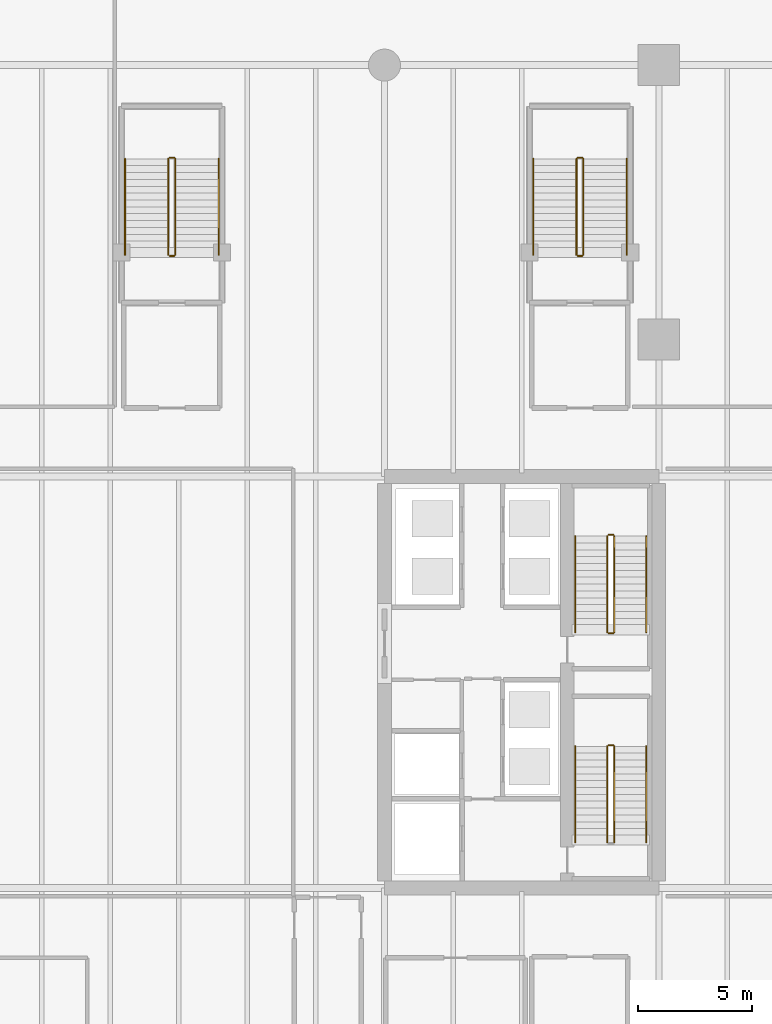
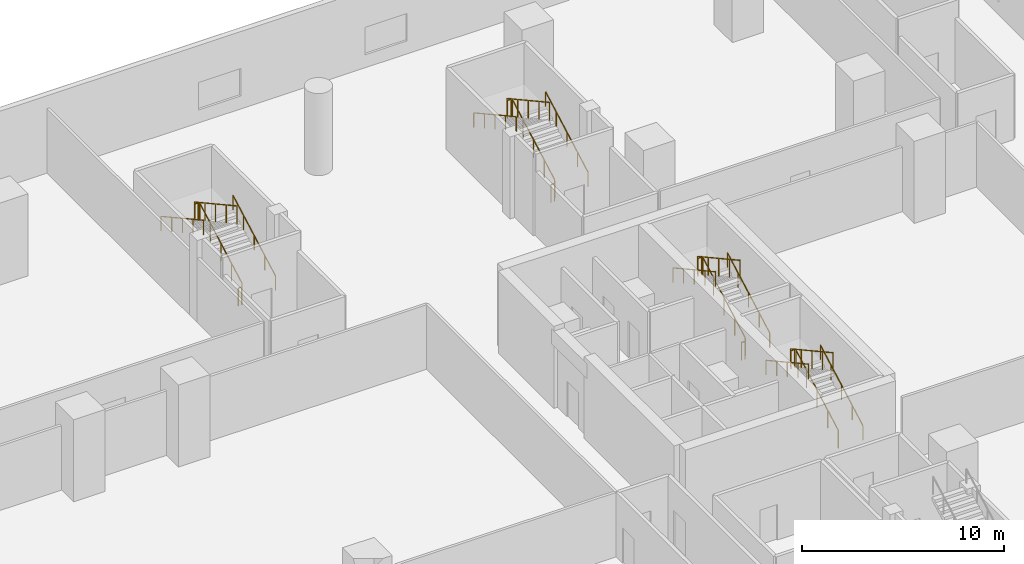
# One storey, part 23 of 25: 23 railings.
"""IFC4 building model written with IfcOpenShell, lengths in metres."""

from ifc_helpers import new_model, si_unit, direction, frame, origin, place, context, subcontext, project, spatial, rectangle, extrude, material, type_object, element, save


model = new_model("IFC4")

# Units and contexts
model_context = context("Model", 3, precision=1e-05, world=origin(), true_north=direction((0.0, 1.0)))
body_context = subcontext(model_context, "Body", "Model", "MODEL_VIEW")
ifc_project = project(units=[si_unit("LENGTHUNIT", "METRE"), si_unit("AREAUNIT", "SQUARE_METRE"), si_unit("VOLUMEUNIT", "CUBIC_METRE"), si_unit("PLANEANGLEUNIT", "RADIAN"), si_unit("MASSUNIT", "GRAM", prefix="KILO")], contexts=[model_context])

# Site, building, storey
site_placement = place(None, origin())
site = spatial("IfcSite", under=ifc_project, at=site_placement, CompositionType="ELEMENT")
building_placement = place(site_placement, origin())
building = spatial("IfcBuilding", under=site, at=building_placement, Name="Tanjung Sevakor Pilgrim Tower", CompositionType="ELEMENT")
storey_placement = place(building_placement, origin())
storey = spatial("IfcBuildingStorey", under=building, at=storey_placement, Name="L01", CompositionType="ELEMENT", Elevation=0.0)

# Railings
ifc_material_1 = material(Name="Steel S355J2", Category="steel")
railing_type_1 = type_object("IfcRailingType", Name="RL-STAIR-GUARD", PredefinedType="GUARDRAIL", material=ifc_material_1)
railing_1_placement = place(storey_placement, frame((88.050048828125, 26.60009765625, 0.1650390625)))
element("IfcRailing", 1, at=railing_1_placement, inside=storey, type_object=railing_type_1, Name="L01 TS-E1 stair guard 1", PredefinedType="GUARDRAIL", context=body_context, shape_type="SweptSolid", body=[
    extrude(rectangle(XDim=0.0479, YDim=0.0479), frame((0.0, 0.0, 1.076171875), z_axis=(0.0, 0.876208380975, 0.481932436249), x_axis=(-1.0, 0.0, 0.0)), (0.0, 0.0, 1.0), 4.793212890625),
    extrude(rectangle(XDim=0.042, YDim=0.042), origin(), (0.0, 0.0, 1.0), 1.052001953125),
    extrude(rectangle(XDim=0.042, YDim=0.042), frame((0.0, 1.050048828125, 0.57763671875)), (0.0, 0.0, 1.0), 1.052001953125),
    extrude(rectangle(XDim=0.042, YDim=0.042), frame((0.0, 2.10009765625, 1.155029296875)), (0.0, 0.0, 1.0), 1.052001953125),
    extrude(rectangle(XDim=0.042, YDim=0.042), frame((0.0, 3.14990234375, 1.732421875)), (0.0, 0.0, 1.0), 1.052001953125),
    extrude(rectangle(XDim=0.042, YDim=0.042), frame((0.0, 4.199951171875, 2.31005859375)), (0.0, 0.0, 1.0), 1.052001953125),
])
railing_2_placement = place(storey_placement, frame((88.0, 30.85009765625, 2.47509765625)))
element("IfcRailing", 2, at=railing_2_placement, inside=storey, type_object=railing_type_1, Name="L01 TS-E1 stair guard 2", PredefinedType="GUARDRAIL", context=body_context, shape_type="SweptSolid", body=[
    extrude(rectangle(XDim=0.0479, YDim=0.0479), frame((0.0, 0.0, 1.076171875), z_axis=(-1.0, 0.0, 0.0), x_axis=(0.0, -1.0, 0.0)), (0.0, 0.0, 1.0), 0.199951171875),
    extrude(rectangle(XDim=0.042, YDim=0.042), origin(), (0.0, 0.0, 1.0), 1.052001953125),
    extrude(rectangle(XDim=0.042, YDim=0.042), frame((-0.199951171875, 0.0, 0.0)), (0.0, 0.0, 1.0), 1.052001953125),
])
railing_3_placement = place(storey_placement, frame((87.75, 30.800048828125, 2.639892578125)))
element("IfcRailing", 3, at=railing_3_placement, inside=storey, type_object=railing_type_1, Name="L01 TS-E1 stair guard 3", PredefinedType="GUARDRAIL", context=body_context, shape_type="SweptSolid", body=[
    extrude(rectangle(XDim=0.0479, YDim=0.0479), frame((0.0, 0.0, 1.076171875), z_axis=(0.0, -0.876208380975, 0.481932436249), x_axis=(1.0, 0.0, 0.0)), (0.0, 0.0, 1.0), 4.793212890625),
    extrude(rectangle(XDim=0.042, YDim=0.042), origin(), (0.0, 0.0, 1.0), 1.052001953125),
    extrude(rectangle(XDim=0.042, YDim=0.042), frame((0.0, -1.050048828125, 0.57763671875)), (0.0, 0.0, 1.0), 1.052001953125),
    extrude(rectangle(XDim=0.042, YDim=0.042), frame((0.0, -2.10009765625, 1.155029296875)), (0.0, 0.0, 1.0), 1.052001953125),
    extrude(rectangle(XDim=0.042, YDim=0.042), frame((0.0, -3.14990234375, 1.732421875)), (0.0, 0.0, 1.0), 1.052001953125),
    extrude(rectangle(XDim=0.042, YDim=0.042), frame((0.0, -4.199951171875, 2.31005859375)), (0.0, 0.0, 1.0), 1.052001953125),
])
railing_4_placement = place(storey_placement, frame((88.050048828125, 35.800048828125, 0.1650390625)))
element("IfcRailing", 4, at=railing_4_placement, inside=storey, type_object=railing_type_1, Name="L01 TS-E2 stair guard 1", PredefinedType="GUARDRAIL", context=body_context, shape_type="SweptSolid", body=[
    extrude(rectangle(XDim=0.0479, YDim=0.0479), frame((0.0, 0.0, 1.076171875), z_axis=(0.0, 0.876208380975, 0.481932436249), x_axis=(-1.0, 0.0, 0.0)), (0.0, 0.0, 1.0), 4.793212890625),
    extrude(rectangle(XDim=0.042, YDim=0.042), origin(), (0.0, 0.0, 1.0), 1.052001953125),
    extrude(rectangle(XDim=0.042, YDim=0.042), frame((0.0, 1.050048828125, 0.57763671875)), (0.0, 0.0, 1.0), 1.052001953125),
    extrude(rectangle(XDim=0.042, YDim=0.042), frame((0.0, 2.10009765625, 1.155029296875)), (0.0, 0.0, 1.0), 1.052001953125),
    extrude(rectangle(XDim=0.042, YDim=0.042), frame((0.0, 3.14990234375, 1.732421875)), (0.0, 0.0, 1.0), 1.052001953125),
    extrude(rectangle(XDim=0.042, YDim=0.042), frame((0.0, 4.199951171875, 2.31005859375)), (0.0, 0.0, 1.0), 1.052001953125),
])
railing_5_placement = place(storey_placement, frame((88.0, 40.050048828125, 2.47509765625)))
element("IfcRailing", 5, at=railing_5_placement, inside=storey, type_object=railing_type_1, Name="L01 TS-E2 stair guard 2", PredefinedType="GUARDRAIL", context=body_context, shape_type="SweptSolid", body=[
    extrude(rectangle(XDim=0.0479, YDim=0.0479), frame((0.0, 0.0, 1.076171875), z_axis=(-1.0, 0.0, 0.0), x_axis=(0.0, -1.0, 0.0)), (0.0, 0.0, 1.0), 0.199951171875),
    extrude(rectangle(XDim=0.042, YDim=0.042), origin(), (0.0, 0.0, 1.0), 1.052001953125),
    extrude(rectangle(XDim=0.042, YDim=0.042), frame((-0.199951171875, 0.0, 0.0)), (0.0, 0.0, 1.0), 1.052001953125),
])
railing_6_placement = place(storey_placement, frame((87.75, 40.0, 2.639892578125)))
element("IfcRailing", 6, at=railing_6_placement, inside=storey, type_object=railing_type_1, Name="L01 TS-E2 stair guard 3", PredefinedType="GUARDRAIL", context=body_context, shape_type="SweptSolid", body=[
    extrude(rectangle(XDim=0.0479, YDim=0.0479), frame((0.0, 0.0, 1.076171875), z_axis=(0.0, -0.876208380975, 0.481932436249), x_axis=(1.0, 0.0, 0.0)), (0.0, 0.0, 1.0), 4.793212890625),
    extrude(rectangle(XDim=0.042, YDim=0.042), origin(), (0.0, 0.0, 1.0), 1.052001953125),
    extrude(rectangle(XDim=0.042, YDim=0.042), frame((0.0, -1.050048828125, 0.57763671875)), (0.0, 0.0, 1.0), 1.052001953125),
    extrude(rectangle(XDim=0.042, YDim=0.042), frame((0.0, -2.10009765625, 1.155029296875)), (0.0, 0.0, 1.0), 1.052001953125),
    extrude(rectangle(XDim=0.042, YDim=0.042), frame((0.0, -3.14990234375, 1.732421875)), (0.0, 0.0, 1.0), 1.052001953125),
    extrude(rectangle(XDim=0.042, YDim=0.042), frame((0.0, -4.199951171875, 2.31005859375)), (0.0, 0.0, 1.0), 1.052001953125),
])
railing_7_placement = place(storey_placement, frame((88.0, 35.75, 0.0)))
element("IfcRailing", 7, at=railing_7_placement, inside=storey, type_object=railing_type_1, Name="L01 TS-E2 stair guard 4", PredefinedType="GUARDRAIL", context=body_context, shape_type="SweptSolid", body=[
    extrude(rectangle(XDim=0.0479, YDim=0.0479), frame((0.0, 0.0, 1.076171875), z_axis=(-1.0, 0.0, 0.0), x_axis=(0.0, -1.0, 0.0)), (0.0, 0.0, 1.0), 0.199951171875),
    extrude(rectangle(XDim=0.042, YDim=0.042), origin(), (0.0, 0.0, 1.0), 1.052001953125),
    extrude(rectangle(XDim=0.042, YDim=0.042), frame((-0.199951171875, 0.0, 0.0)), (0.0, 0.0, 1.0), 1.052001953125),
])
railing_8_placement = place(storey_placement, frame((68.85009765625, 52.300048828125, 0.1650390625)))
element("IfcRailing", 8, at=railing_8_placement, inside=storey, type_object=railing_type_1, Name="L01 PS-4 stair guard 1", PredefinedType="GUARDRAIL", context=body_context, shape_type="SweptSolid", body=[
    extrude(rectangle(XDim=0.0479, YDim=0.0479), frame((0.0, 0.0, 1.076171875), z_axis=(0.0, 0.876208380975, 0.481932436249), x_axis=(-1.0, 0.0, 0.0)), (0.0, 0.0, 1.0), 4.793212890625),
    extrude(rectangle(XDim=0.042, YDim=0.042), origin(), (0.0, 0.0, 1.0), 1.052001953125),
    extrude(rectangle(XDim=0.042, YDim=0.042), frame((0.0, 1.050048828125, 0.57763671875)), (0.0, 0.0, 1.0), 1.052001953125),
    extrude(rectangle(XDim=0.042, YDim=0.042), frame((0.0, 2.10009765625, 1.155029296875)), (0.0, 0.0, 1.0), 1.052001953125),
    extrude(rectangle(XDim=0.042, YDim=0.042), frame((0.0, 3.14990234375, 1.732421875)), (0.0, 0.0, 1.0), 1.052001953125),
    extrude(rectangle(XDim=0.042, YDim=0.042), frame((0.0, 4.199951171875, 2.31005859375)), (0.0, 0.0, 1.0), 1.052001953125),
])
railing_9_placement = place(storey_placement, frame((68.800048828125, 56.550048828125, 2.47509765625)))
element("IfcRailing", 9, at=railing_9_placement, inside=storey, type_object=railing_type_1, Name="L01 PS-4 stair guard 2", PredefinedType="GUARDRAIL", context=body_context, shape_type="SweptSolid", body=[
    extrude(rectangle(XDim=0.0479, YDim=0.0479), frame((0.0, 0.0, 1.076171875), z_axis=(-1.0, 0.0, 0.0), x_axis=(0.0, -1.0, 0.0)), (0.0, 0.0, 1.0), 0.199951171875),
    extrude(rectangle(XDim=0.042, YDim=0.042), origin(), (0.0, 0.0, 1.0), 1.052001953125),
    extrude(rectangle(XDim=0.042, YDim=0.042), frame((-0.199951171875, 0.0, 0.0)), (0.0, 0.0, 1.0), 1.052001953125),
])
railing_10_placement = place(storey_placement, frame((68.550048828125, 56.5, 2.639892578125)))
element("IfcRailing", 10, at=railing_10_placement, inside=storey, type_object=railing_type_1, Name="L01 PS-4 stair guard 3", PredefinedType="GUARDRAIL", context=body_context, shape_type="SweptSolid", body=[
    extrude(rectangle(XDim=0.0479, YDim=0.0479), frame((0.0, 0.0, 1.076171875), z_axis=(0.0, -0.876208380975, 0.481932436249), x_axis=(1.0, 0.0, 0.0)), (0.0, 0.0, 1.0), 4.793212890625),
    extrude(rectangle(XDim=0.042, YDim=0.042), origin(), (0.0, 0.0, 1.0), 1.052001953125),
    extrude(rectangle(XDim=0.042, YDim=0.042), frame((0.0, -1.050048828125, 0.57763671875)), (0.0, 0.0, 1.0), 1.052001953125),
    extrude(rectangle(XDim=0.042, YDim=0.042), frame((0.0, -2.10009765625, 1.155029296875)), (0.0, 0.0, 1.0), 1.052001953125),
    extrude(rectangle(XDim=0.042, YDim=0.042), frame((0.0, -3.14990234375, 1.732421875)), (0.0, 0.0, 1.0), 1.052001953125),
    extrude(rectangle(XDim=0.042, YDim=0.042), frame((0.0, -4.199951171875, 2.31005859375)), (0.0, 0.0, 1.0), 1.052001953125),
])
railing_11_placement = place(storey_placement, frame((68.800048828125, 52.25, 0.0)))
element("IfcRailing", 11, at=railing_11_placement, inside=storey, type_object=railing_type_1, Name="L01 PS-4 stair guard 4", PredefinedType="GUARDRAIL", context=body_context, shape_type="SweptSolid", body=[
    extrude(rectangle(XDim=0.0479, YDim=0.0479), frame((0.0, 0.0, 1.076171875), z_axis=(-1.0, 0.0, 0.0), x_axis=(0.0, -1.0, 0.0)), (0.0, 0.0, 1.0), 0.199951171875),
    extrude(rectangle(XDim=0.042, YDim=0.042), origin(), (0.0, 0.0, 1.0), 1.052001953125),
    extrude(rectangle(XDim=0.042, YDim=0.042), frame((-0.199951171875, 0.0, 0.0)), (0.0, 0.0, 1.0), 1.052001953125),
])
railing_12_placement = place(storey_placement, frame((86.699951171875, 52.300048828125, 0.1650390625)))
element("IfcRailing", 12, at=railing_12_placement, inside=storey, type_object=railing_type_1, Name="L01 PS-6 stair guard 1", PredefinedType="GUARDRAIL", context=body_context, shape_type="SweptSolid", body=[
    extrude(rectangle(XDim=0.0479, YDim=0.0479), frame((0.0, 0.0, 1.076171875), z_axis=(0.0, 0.876208380975, 0.481932436249), x_axis=(-1.0, 0.0, 0.0)), (0.0, 0.0, 1.0), 4.793212890625),
    extrude(rectangle(XDim=0.042, YDim=0.042), origin(), (0.0, 0.0, 1.0), 1.052001953125),
    extrude(rectangle(XDim=0.042, YDim=0.042), frame((0.0, 1.050048828125, 0.57763671875)), (0.0, 0.0, 1.0), 1.052001953125),
    extrude(rectangle(XDim=0.042, YDim=0.042), frame((0.0, 2.10009765625, 1.155029296875)), (0.0, 0.0, 1.0), 1.052001953125),
    extrude(rectangle(XDim=0.042, YDim=0.042), frame((0.0, 3.14990234375, 1.732421875)), (0.0, 0.0, 1.0), 1.052001953125),
    extrude(rectangle(XDim=0.042, YDim=0.042), frame((0.0, 4.199951171875, 2.31005859375)), (0.0, 0.0, 1.0), 1.052001953125),
])
railing_13_placement = place(storey_placement, frame((86.64990234375, 56.550048828125, 2.47509765625)))
element("IfcRailing", 13, at=railing_13_placement, inside=storey, type_object=railing_type_1, Name="L01 PS-6 stair guard 2", PredefinedType="GUARDRAIL", context=body_context, shape_type="SweptSolid", body=[
    extrude(rectangle(XDim=0.0479, YDim=0.0479), frame((0.0, 0.0, 1.076171875), z_axis=(-1.0, 0.0, 0.0), x_axis=(0.0, -1.0, 0.0)), (0.0, 0.0, 1.0), 0.199951171875),
    extrude(rectangle(XDim=0.042, YDim=0.042), origin(), (0.0, 0.0, 1.0), 1.052001953125),
    extrude(rectangle(XDim=0.042, YDim=0.042), frame((-0.199951171875, 0.0, 0.0)), (0.0, 0.0, 1.0), 1.052001953125),
])
railing_14_placement = place(storey_placement, frame((86.39990234375, 56.5, 2.639892578125)))
element("IfcRailing", 14, at=railing_14_placement, inside=storey, type_object=railing_type_1, Name="L01 PS-6 stair guard 3", PredefinedType="GUARDRAIL", context=body_context, shape_type="SweptSolid", body=[
    extrude(rectangle(XDim=0.0479, YDim=0.0479), frame((0.0, 0.0, 1.076171875), z_axis=(0.0, -0.876208380975, 0.481932436249), x_axis=(1.0, 0.0, 0.0)), (0.0, 0.0, 1.0), 4.793212890625),
    extrude(rectangle(XDim=0.042, YDim=0.042), origin(), (0.0, 0.0, 1.0), 1.052001953125),
    extrude(rectangle(XDim=0.042, YDim=0.042), frame((0.0, -1.050048828125, 0.57763671875)), (0.0, 0.0, 1.0), 1.052001953125),
    extrude(rectangle(XDim=0.042, YDim=0.042), frame((0.0, -2.10009765625, 1.155029296875)), (0.0, 0.0, 1.0), 1.052001953125),
    extrude(rectangle(XDim=0.042, YDim=0.042), frame((0.0, -3.14990234375, 1.732421875)), (0.0, 0.0, 1.0), 1.052001953125),
    extrude(rectangle(XDim=0.042, YDim=0.042), frame((0.0, -4.199951171875, 2.31005859375)), (0.0, 0.0, 1.0), 1.052001953125),
])
railing_15_placement = place(storey_placement, frame((86.64990234375, 52.25, 0.0)))
element("IfcRailing", 15, at=railing_15_placement, inside=storey, type_object=railing_type_1, Name="L01 PS-6 stair guard 4", PredefinedType="GUARDRAIL", context=body_context, shape_type="SweptSolid", body=[
    extrude(rectangle(XDim=0.0479, YDim=0.0479), frame((0.0, 0.0, 1.076171875), z_axis=(-1.0, 0.0, 0.0), x_axis=(0.0, -1.0, 0.0)), (0.0, 0.0, 1.0), 0.199951171875),
    extrude(rectangle(XDim=0.042, YDim=0.042), origin(), (0.0, 0.0, 1.0), 1.052001953125),
    extrude(rectangle(XDim=0.042, YDim=0.042), frame((-0.199951171875, 0.0, 0.0)), (0.0, 0.0, 1.0), 1.052001953125),
])
ifc_material_2 = material(Name="Steel S355J2", Category="steel")
railing_type_2 = type_object("IfcRailingType", Name="RL-STAIR-HAND", PredefinedType="HANDRAIL", material=ifc_material_2)
railing_16_placement = place(storey_placement, frame((89.449951171875, 26.60009765625, 0.1650390625)))
element("IfcRailing", 16, at=railing_16_placement, inside=storey, type_object=railing_type_2, Name="L01 TS-E1 stair handrail 1", PredefinedType="HANDRAIL", context=body_context, shape_type="SweptSolid", body=[
    extrude(rectangle(XDim=0.0479, YDim=0.0479), frame((0.0, 0.0, 0.8759765625), z_axis=(0.0, 0.876208380975, 0.481932436249), x_axis=(-1.0, 0.0, 0.0)), (0.0, 0.0, 1.0), 4.793212890625),
    extrude(rectangle(XDim=0.042, YDim=0.042), origin(), (0.0, 0.0, 1.0), 0.851806640625),
    extrude(rectangle(XDim=0.042, YDim=0.042), frame((0.0, 1.050048828125, 0.57763671875)), (0.0, 0.0, 1.0), 0.851806640625),
    extrude(rectangle(XDim=0.042, YDim=0.042), frame((0.0, 2.10009765625, 1.155029296875)), (0.0, 0.0, 1.0), 0.851806640625),
    extrude(rectangle(XDim=0.042, YDim=0.042), frame((0.0, 3.14990234375, 1.732421875)), (0.0, 0.0, 1.0), 0.851806640625),
    extrude(rectangle(XDim=0.042, YDim=0.042), frame((0.0, 4.199951171875, 2.31005859375)), (0.0, 0.0, 1.0), 0.851806640625),
])
railing_17_placement = place(storey_placement, frame((86.35009765625, 30.800048828125, 2.639892578125)))
element("IfcRailing", 17, at=railing_17_placement, inside=storey, type_object=railing_type_2, Name="L01 TS-E1 stair handrail 2", PredefinedType="HANDRAIL", context=body_context, shape_type="SweptSolid", body=[
    extrude(rectangle(XDim=0.0479, YDim=0.0479), frame((0.0, 0.0, 0.8759765625), z_axis=(0.0, -0.876208380975, 0.481932436249), x_axis=(1.0, 0.0, 0.0)), (0.0, 0.0, 1.0), 4.793212890625),
    extrude(rectangle(XDim=0.042, YDim=0.042), origin(), (0.0, 0.0, 1.0), 0.851806640625),
    extrude(rectangle(XDim=0.042, YDim=0.042), frame((0.0, -1.050048828125, 0.57763671875)), (0.0, 0.0, 1.0), 0.851806640625),
    extrude(rectangle(XDim=0.042, YDim=0.042), frame((0.0, -2.10009765625, 1.155029296875)), (0.0, 0.0, 1.0), 0.851806640625),
    extrude(rectangle(XDim=0.042, YDim=0.042), frame((0.0, -3.14990234375, 1.732421875)), (0.0, 0.0, 1.0), 0.851806640625),
    extrude(rectangle(XDim=0.042, YDim=0.042), frame((0.0, -4.199951171875, 2.31005859375)), (0.0, 0.0, 1.0), 0.851806640625),
])
railing_18_placement = place(storey_placement, frame((89.449951171875, 35.800048828125, 0.1650390625)))
element("IfcRailing", 18, at=railing_18_placement, inside=storey, type_object=railing_type_2, Name="L01 TS-E2 stair handrail 1", PredefinedType="HANDRAIL", context=body_context, shape_type="SweptSolid", body=[
    extrude(rectangle(XDim=0.0479, YDim=0.0479), frame((0.0, 0.0, 0.8759765625), z_axis=(0.0, 0.876208380975, 0.481932436249), x_axis=(-1.0, 0.0, 0.0)), (0.0, 0.0, 1.0), 4.793212890625),
    extrude(rectangle(XDim=0.042, YDim=0.042), origin(), (0.0, 0.0, 1.0), 0.851806640625),
    extrude(rectangle(XDim=0.042, YDim=0.042), frame((0.0, 1.050048828125, 0.57763671875)), (0.0, 0.0, 1.0), 0.851806640625),
    extrude(rectangle(XDim=0.042, YDim=0.042), frame((0.0, 2.10009765625, 1.155029296875)), (0.0, 0.0, 1.0), 0.851806640625),
    extrude(rectangle(XDim=0.042, YDim=0.042), frame((0.0, 3.14990234375, 1.732421875)), (0.0, 0.0, 1.0), 0.851806640625),
    extrude(rectangle(XDim=0.042, YDim=0.042), frame((0.0, 4.199951171875, 2.31005859375)), (0.0, 0.0, 1.0), 0.851806640625),
])
railing_19_placement = place(storey_placement, frame((86.35009765625, 40.0, 2.639892578125)))
element("IfcRailing", 19, at=railing_19_placement, inside=storey, type_object=railing_type_2, Name="L01 TS-E2 stair handrail 2", PredefinedType="HANDRAIL", context=body_context, shape_type="SweptSolid", body=[
    extrude(rectangle(XDim=0.0479, YDim=0.0479), frame((0.0, 0.0, 0.8759765625), z_axis=(0.0, -0.876208380975, 0.481932436249), x_axis=(1.0, 0.0, 0.0)), (0.0, 0.0, 1.0), 4.793212890625),
    extrude(rectangle(XDim=0.042, YDim=0.042), origin(), (0.0, 0.0, 1.0), 0.851806640625),
    extrude(rectangle(XDim=0.042, YDim=0.042), frame((0.0, -1.050048828125, 0.57763671875)), (0.0, 0.0, 1.0), 0.851806640625),
    extrude(rectangle(XDim=0.042, YDim=0.042), frame((0.0, -2.10009765625, 1.155029296875)), (0.0, 0.0, 1.0), 0.851806640625),
    extrude(rectangle(XDim=0.042, YDim=0.042), frame((0.0, -3.14990234375, 1.732421875)), (0.0, 0.0, 1.0), 0.851806640625),
    extrude(rectangle(XDim=0.042, YDim=0.042), frame((0.0, -4.199951171875, 2.31005859375)), (0.0, 0.0, 1.0), 0.851806640625),
])
railing_20_placement = place(storey_placement, frame((70.75, 52.300048828125, 0.1650390625)))
element("IfcRailing", 20, at=railing_20_placement, inside=storey, type_object=railing_type_2, Name="L01 PS-4 stair handrail 1", PredefinedType="HANDRAIL", context=body_context, shape_type="SweptSolid", body=[
    extrude(rectangle(XDim=0.0479, YDim=0.0479), frame((0.0, 0.0, 0.8759765625), z_axis=(0.0, 0.876208380975, 0.481932436249), x_axis=(-1.0, 0.0, 0.0)), (0.0, 0.0, 1.0), 4.793212890625),
    extrude(rectangle(XDim=0.042, YDim=0.042), origin(), (0.0, 0.0, 1.0), 0.851806640625),
    extrude(rectangle(XDim=0.042, YDim=0.042), frame((0.0, 1.050048828125, 0.57763671875)), (0.0, 0.0, 1.0), 0.851806640625),
    extrude(rectangle(XDim=0.042, YDim=0.042), frame((0.0, 2.10009765625, 1.155029296875)), (0.0, 0.0, 1.0), 0.851806640625),
    extrude(rectangle(XDim=0.042, YDim=0.042), frame((0.0, 3.14990234375, 1.732421875)), (0.0, 0.0, 1.0), 0.851806640625),
    extrude(rectangle(XDim=0.042, YDim=0.042), frame((0.0, 4.199951171875, 2.31005859375)), (0.0, 0.0, 1.0), 0.851806640625),
])
railing_21_placement = place(storey_placement, frame((66.64990234375, 56.5, 2.639892578125)))
element("IfcRailing", 21, at=railing_21_placement, inside=storey, type_object=railing_type_2, Name="L01 PS-4 stair handrail 2", PredefinedType="HANDRAIL", context=body_context, shape_type="SweptSolid", body=[
    extrude(rectangle(XDim=0.0479, YDim=0.0479), frame((0.0, 0.0, 0.8759765625), z_axis=(0.0, -0.876208380975, 0.481932436249), x_axis=(1.0, 0.0, 0.0)), (0.0, 0.0, 1.0), 4.793212890625),
    extrude(rectangle(XDim=0.042, YDim=0.042), origin(), (0.0, 0.0, 1.0), 0.851806640625),
    extrude(rectangle(XDim=0.042, YDim=0.042), frame((0.0, -1.050048828125, 0.57763671875)), (0.0, 0.0, 1.0), 0.851806640625),
    extrude(rectangle(XDim=0.042, YDim=0.042), frame((0.0, -2.10009765625, 1.155029296875)), (0.0, 0.0, 1.0), 0.851806640625),
    extrude(rectangle(XDim=0.042, YDim=0.042), frame((0.0, -3.14990234375, 1.732421875)), (0.0, 0.0, 1.0), 0.851806640625),
    extrude(rectangle(XDim=0.042, YDim=0.042), frame((0.0, -4.199951171875, 2.31005859375)), (0.0, 0.0, 1.0), 0.851806640625),
])
railing_22_placement = place(storey_placement, frame((88.60009765625, 52.300048828125, 0.1650390625)))
element("IfcRailing", 22, at=railing_22_placement, inside=storey, type_object=railing_type_2, Name="L01 PS-6 stair handrail 1", PredefinedType="HANDRAIL", context=body_context, shape_type="SweptSolid", body=[
    extrude(rectangle(XDim=0.0479, YDim=0.0479), frame((0.0, 0.0, 0.8759765625), z_axis=(0.0, 0.876208380975, 0.481932436249), x_axis=(-1.0, 0.0, 0.0)), (0.0, 0.0, 1.0), 4.793212890625),
    extrude(rectangle(XDim=0.042, YDim=0.042), origin(), (0.0, 0.0, 1.0), 0.851806640625),
    extrude(rectangle(XDim=0.042, YDim=0.042), frame((0.0, 1.050048828125, 0.57763671875)), (0.0, 0.0, 1.0), 0.851806640625),
    extrude(rectangle(XDim=0.042, YDim=0.042), frame((0.0, 2.10009765625, 1.155029296875)), (0.0, 0.0, 1.0), 0.851806640625),
    extrude(rectangle(XDim=0.042, YDim=0.042), frame((0.0, 3.14990234375, 1.732421875)), (0.0, 0.0, 1.0), 0.851806640625),
    extrude(rectangle(XDim=0.042, YDim=0.042), frame((0.0, 4.199951171875, 2.31005859375)), (0.0, 0.0, 1.0), 0.851806640625),
])
railing_23_placement = place(storey_placement, frame((84.5, 56.5, 2.639892578125)))
element("IfcRailing", 23, at=railing_23_placement, inside=storey, type_object=railing_type_2, Name="L01 PS-6 stair handrail 2", PredefinedType="HANDRAIL", context=body_context, shape_type="SweptSolid", body=[
    extrude(rectangle(XDim=0.0479, YDim=0.0479), frame((0.0, 0.0, 0.8759765625), z_axis=(0.0, -0.876208380975, 0.481932436249), x_axis=(1.0, 0.0, 0.0)), (0.0, 0.0, 1.0), 4.793212890625),
    extrude(rectangle(XDim=0.042, YDim=0.042), origin(), (0.0, 0.0, 1.0), 0.851806640625),
    extrude(rectangle(XDim=0.042, YDim=0.042), frame((0.0, -1.050048828125, 0.57763671875)), (0.0, 0.0, 1.0), 0.851806640625),
    extrude(rectangle(XDim=0.042, YDim=0.042), frame((0.0, -2.10009765625, 1.155029296875)), (0.0, 0.0, 1.0), 0.851806640625),
    extrude(rectangle(XDim=0.042, YDim=0.042), frame((0.0, -3.14990234375, 1.732421875)), (0.0, 0.0, 1.0), 0.851806640625),
    extrude(rectangle(XDim=0.042, YDim=0.042), frame((0.0, -4.199951171875, 2.31005859375)), (0.0, 0.0, 1.0), 0.851806640625),
])

save(model, "model.ifc")
